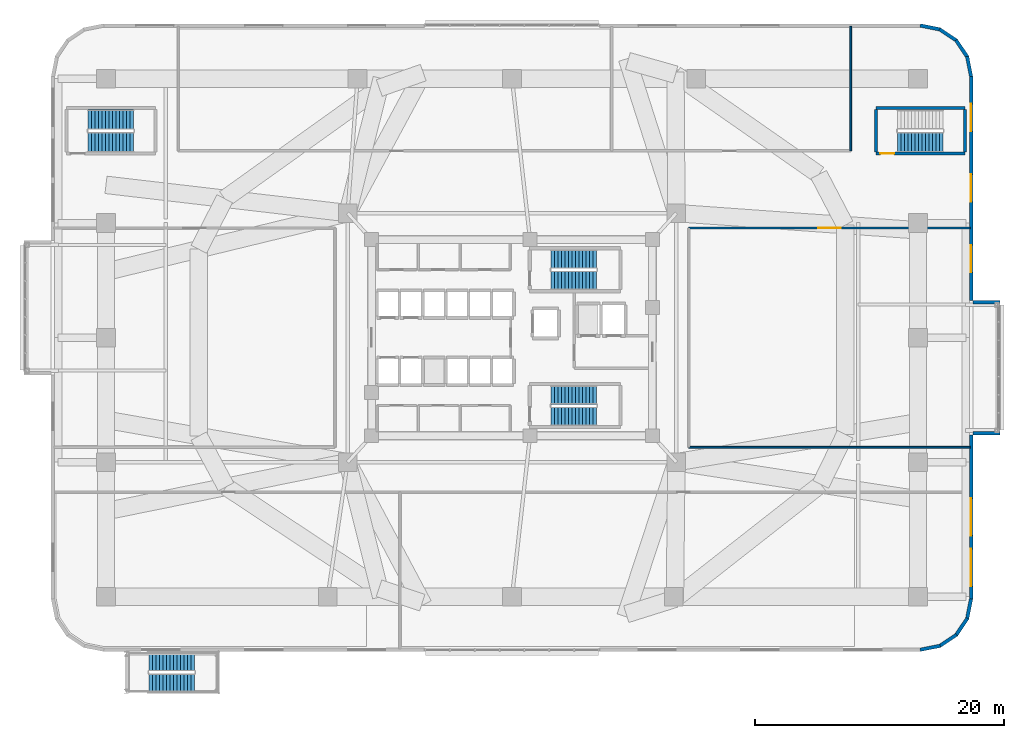
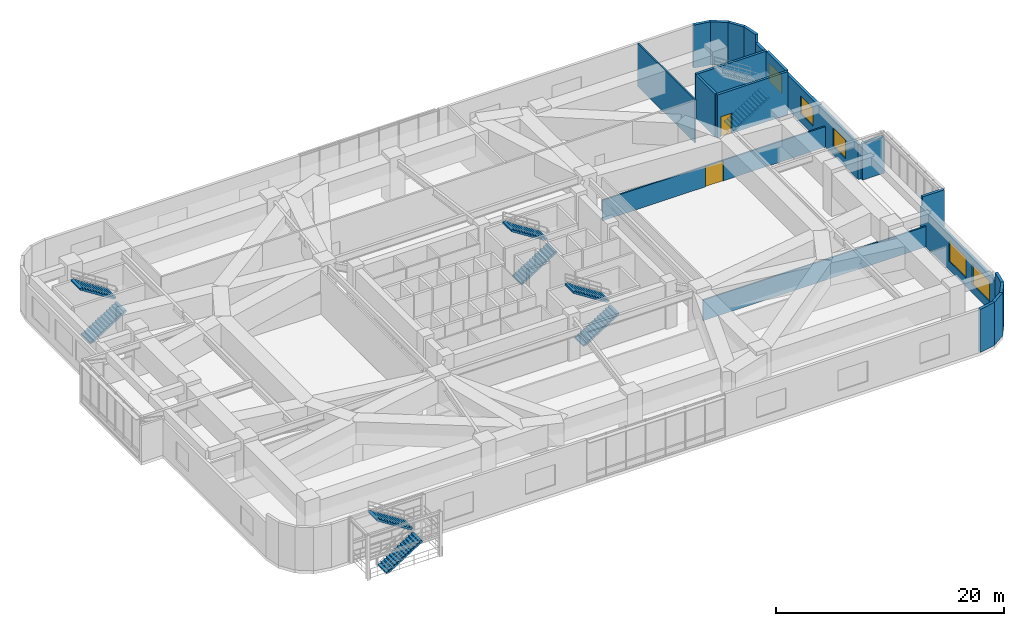
# One storey, part 20 of 26: 19 walls, 9 stair flights, 5 windows, 2 doors, 7 openings, 5 elements without a shape of their own.
"""IFC4 building model written with IfcOpenShell, lengths in metres."""

from ifc_helpers import new_model, si_unit, direction, frame, frame_2d, origin, place, context, subcontext, project, spatial, polyline, rectangle, outline, extrude, material, layer, layer_set, type_object, element, fill, aggregate, save


model = new_model("IFC4")

# Units and contexts
model_context = context("Model", 3, precision=1e-05, world=origin(), true_north=direction((0.0, 1.0)))
body_context = subcontext(model_context, "Body", "Model", "MODEL_VIEW")
ifc_project = project(units=[si_unit("LENGTHUNIT", "METRE"), si_unit("AREAUNIT", "SQUARE_METRE"), si_unit("VOLUMEUNIT", "CUBIC_METRE"), si_unit("PLANEANGLEUNIT", "RADIAN"), si_unit("MASSUNIT", "GRAM", prefix="KILO")], contexts=[model_context])

# Site, building, storey
site_placement = place(None, origin())
site = spatial("IfcSite", under=ifc_project, at=site_placement, CompositionType="ELEMENT")
building_placement = place(site_placement, origin())
building = spatial("IfcBuilding", under=site, at=building_placement, Name="Zulverin Broadcast Headquarters", CompositionType="ELEMENT")
storey_placement = place(building_placement, frame((0.0, 0.0, 20.0)))
storey = spatial("IfcBuildingStorey", under=building, at=storey_placement, Name="L04", CompositionType="ELEMENT", Elevation=20.0)

# Wall, openings, windows
ifc_material_1 = material(Name="Insulated pale-metal clad concrete spandrel C40/50", Category="concrete")
ifc_layer_1 = layer(ifc_material_1, 0.280029296875, Name="Insulated pale-metal clad concrete spandrel C40/50", Category="concrete")
ifc_layer_set_1 = layer_set([ifc_layer_1], Name="Insulated pale-metal clad concrete spandrel C40/50")
wall_type_1 = type_object("IfcWallType", Name="WL-EXT-280", PredefinedType="STANDARD", material=ifc_layer_set_1)
wall_1_placement = place(storey_placement, frame((73.860107421875, 4.199951171875, 0.0), z_axis=(0.0, 0.0, 1.0), x_axis=(0.0, 1.0, 0.0)))
wall_1 = element("IfcWall", 1, at=wall_1_placement, inside=storey, type_object=wall_type_1, Name="L04 Podium Spandrel Wall 1-1", PredefinedType="STANDARD", context=body_context, shape_type="SweptSolid", body=[
    extrude(rectangle(XDim=13.199951171875, YDim=0.280029296875, at=frame_2d((6.60009765625, 0.0))), origin(), (0.0, 0.0, 1.0), 3.699951171875),
])
opening_1_placement = place(wall_1_placement, frame((1.033203125, 0.0, 0.89990234375)))
opening_1 = element("IfcOpeningElement", 2, at=opening_1_placement, cuts=wall_1, Name="Opening W-L04-E1S11", PredefinedType="OPENING", context=body_context, shape_type="SweptSolid", body=[
    extrude(rectangle(XDim=3.0, YDim=2.199951171875, at=frame_2d((1.5, 1.10009765625))), frame((0.0, 0.14990234375, 0.0), z_axis=(0.0, -1.0, 0.0), x_axis=(1.0, 0.0, 0.0)), (0.0, 0.0, 1.0), 0.300048828125),
])
opening_2_placement = place(wall_1_placement, frame((5.10009765625, 0.0, 0.89990234375)))
opening_2 = element("IfcOpeningElement", 3, at=opening_2_placement, cuts=wall_1, Name="Opening W-L04-E1S12", PredefinedType="OPENING", context=body_context, shape_type="SweptSolid", body=[
    extrude(rectangle(XDim=3.0, YDim=2.199951171875, at=frame_2d((1.5, 1.10009765625))), frame((0.0, 0.14990234375, 0.0), z_axis=(0.0, -1.0, 0.0), x_axis=(1.0, 0.0, 0.0)), (0.0, 0.0, 1.0), 0.300048828125),
])
ifc_material_2 = material(Name="Pale anodized aluminium frame with solar-control low-E double glazing", Category="aluminium")
window_type_1 = type_object("IfcWindowType", Name="WIN-POD-3000", PartitioningType="SINGLE_PANEL", PredefinedType="WINDOW", material=ifc_material_2)
window_1_placement = place(opening_1_placement, origin())
window_1 = element("IfcWindow", 4, at=window_1_placement, inside=storey, type_object=window_type_1, Name="L04 Podium Ribbon Window 1-1 1", OverallHeight=2.199951171875, OverallWidth=3.0, PartitioningType="SINGLE_PANEL", PredefinedType="WINDOW", context=body_context, shape_type="SweptSolid", body=[
    extrude(rectangle(XDim=3.0, YDim=2.199951171875, at=frame_2d((1.5, 1.10009765625))), frame((0.0, 0.030029296875, 0.0), z_axis=(0.0, -1.0, 0.0), x_axis=(1.0, 0.0, 0.0)), (0.0, 0.0, 1.0), 0.06005859375),
])
fill(opening_1, window_1)
window_2_placement = place(opening_2_placement, origin())
window_2 = element("IfcWindow", 5, at=window_2_placement, inside=storey, type_object=window_type_1, Name="L04 Podium Ribbon Window 1-1 2", OverallHeight=2.199951171875, OverallWidth=3.0, PartitioningType="SINGLE_PANEL", PredefinedType="WINDOW", context=body_context, shape_type="SweptSolid", body=[
    extrude(rectangle(XDim=3.0, YDim=2.199951171875, at=frame_2d((1.5, 1.10009765625))), frame((0.0, 0.030029296875, 0.0), z_axis=(0.0, -1.0, 0.0), x_axis=(1.0, 0.0, 0.0)), (0.0, 0.0, 1.0), 0.06005859375),
])
fill(opening_2, window_2)

wall_2_placement = place(storey_placement, frame((73.860107421875, 28.199951171875, 0.0), z_axis=(0.0, 0.0, 1.0), x_axis=(0.0, 1.0, 0.0)))
wall_2 = element("IfcWall", 6, at=wall_2_placement, inside=storey, type_object=wall_type_1, Name="L04 Podium Spandrel Wall 1-2", PredefinedType="STANDARD", context=body_context, shape_type="SweptSolid", body=[
    extrude(rectangle(XDim=18.0, YDim=0.280029296875, at=frame_2d((9.0, 0.0))), origin(), (0.0, 0.0, 1.0), 3.699951171875),
])
opening_3_placement = place(wall_2_placement, frame((2.2333984375, 0.0, 0.89990234375)))
opening_3 = element("IfcOpeningElement", 7, at=opening_3_placement, cuts=wall_2, Name="Opening W-L04-E1S21", PredefinedType="OPENING", context=body_context, shape_type="SweptSolid", body=[
    extrude(rectangle(XDim=2.199951171875, YDim=1.949951171875, at=frame_2d((1.10009765625, 0.97509765625))), frame((0.0, 0.14990234375, 0.0), z_axis=(0.0, -1.0, 0.0), x_axis=(1.0, 0.0, 0.0)), (0.0, 0.0, 1.0), 0.300048828125),
])
opening_4_placement = place(wall_2_placement, frame((7.89990234375, 0.0, 0.89990234375)))
opening_4 = element("IfcOpeningElement", 8, at=opening_4_placement, cuts=wall_2, Name="Opening W-L04-E1S22", PredefinedType="OPENING", context=body_context, shape_type="SweptSolid", body=[
    extrude(rectangle(XDim=2.199951171875, YDim=1.949951171875, at=frame_2d((1.10009765625, 0.97509765625))), frame((0.0, 0.14990234375, 0.0), z_axis=(0.0, -1.0, 0.0), x_axis=(1.0, 0.0, 0.0)), (0.0, 0.0, 1.0), 0.300048828125),
])
opening_5_placement = place(wall_2_placement, frame((13.566650390625, 0.0, 0.89990234375)))
opening_5 = element("IfcOpeningElement", 9, at=opening_5_placement, cuts=wall_2, Name="Opening W-L04-E1S23", PredefinedType="OPENING", context=body_context, shape_type="SweptSolid", body=[
    extrude(rectangle(XDim=2.199951171875, YDim=1.949951171875, at=frame_2d((1.10009765625, 0.97509765625))), frame((0.0, 0.14990234375, 0.0), z_axis=(0.0, -1.0, 0.0), x_axis=(1.0, 0.0, 0.0)), (0.0, 0.0, 1.0), 0.300048828125),
])
window_type_2 = type_object("IfcWindowType", Name="WIN-POD-2200", PartitioningType="SINGLE_PANEL", PredefinedType="WINDOW", material=ifc_material_2)
window_3_placement = place(opening_3_placement, origin())
window_3 = element("IfcWindow", 10, at=window_3_placement, inside=storey, type_object=window_type_2, Name="L04 Podium Ribbon Window 1-2 1", OverallHeight=1.949951171875, OverallWidth=2.199951171875, PartitioningType="SINGLE_PANEL", PredefinedType="WINDOW", context=body_context, shape_type="SweptSolid", body=[
    extrude(rectangle(XDim=2.199951171875, YDim=1.949951171875, at=frame_2d((1.10009765625, 0.97509765625))), frame((0.0, 0.030029296875, 0.0), z_axis=(0.0, -1.0, 0.0), x_axis=(1.0, 0.0, 0.0)), (0.0, 0.0, 1.0), 0.06005859375),
])
fill(opening_3, window_3)
window_4_placement = place(opening_4_placement, origin())
window_4 = element("IfcWindow", 11, at=window_4_placement, inside=storey, type_object=window_type_2, Name="L04 Podium Ribbon Window 1-2 2", OverallHeight=1.949951171875, OverallWidth=2.199951171875, PartitioningType="SINGLE_PANEL", PredefinedType="WINDOW", context=body_context, shape_type="SweptSolid", body=[
    extrude(rectangle(XDim=2.199951171875, YDim=1.949951171875, at=frame_2d((1.10009765625, 0.97509765625))), frame((0.0, 0.030029296875, 0.0), z_axis=(0.0, -1.0, 0.0), x_axis=(1.0, 0.0, 0.0)), (0.0, 0.0, 1.0), 0.06005859375),
])
fill(opening_4, window_4)
window_5_placement = place(opening_5_placement, origin())
window_5 = element("IfcWindow", 12, at=window_5_placement, inside=storey, type_object=window_type_2, Name="L04 Podium Ribbon Window 1-2 3", OverallHeight=1.949951171875, OverallWidth=2.199951171875, PartitioningType="SINGLE_PANEL", PredefinedType="WINDOW", context=body_context, shape_type="SweptSolid", body=[
    extrude(rectangle(XDim=2.199951171875, YDim=1.949951171875, at=frame_2d((1.10009765625, 0.97509765625))), frame((0.0, 0.030029296875, 0.0), z_axis=(0.0, -1.0, 0.0), x_axis=(1.0, 0.0, 0.0)), (0.0, 0.0, 1.0), 0.06005859375),
])
fill(opening_5, window_5)

# Walls
for number, where, z_axis, x_axis, name in (
    (13, (73.86279296875, 46.172607421875, 0.0), (0.0, 0.0, 1.0), (-0.195142046967, 0.980774990253, 0.0), "L04 Wind-Shaped Corner Spandrel Wall 1-1"),
    (14, (73.56396484375, 47.7294921875, 0.0), (0.0, 0.0, 1.0), (-0.555662407875, 0.831408015643, 0.0), "L04 Wind-Shaped Corner Spandrel Wall 1-2"),
):
    element("IfcWall", number, at=place(storey_placement, frame(where, z_axis=z_axis, x_axis=x_axis)), inside=storey, type_object=wall_type_1, Name=name, PredefinedType="STANDARD", context=body_context, shape_type="SweptSolid", body=[
        extrude(rectangle(XDim=1.638916015625, YDim=0.280029296875, at=frame_2d((0.8193359375, 0.0))), origin(), (0.0, 0.0, 1.0), 4.60009765625),
    ])
wall_3_placement = place(storey_placement, frame((72.69189453125, 49.053466796875, 0.0), z_axis=(0.0, 0.0, 1.0), x_axis=(-0.831430845238, 0.555628247651, 0.0)))
element("IfcWall", 15, at=wall_3_placement, inside=storey, type_object=wall_type_1, Name="L04 Wind-Shaped Corner Spandrel Wall 1-3", PredefinedType="STANDARD", context=body_context, shape_type="SweptSolid", body=[
    extrude(rectangle(XDim=1.638427734375, YDim=0.280029296875, at=frame_2d((0.8193359375, 0.0))), origin(), (0.0, 0.0, 1.0), 4.60009765625),
])
for number, where, z_axis, x_axis, name in (
    (16, (71.3798828125, 49.943115234375, 0.0), (0.0, 0.0, 1.0), (-0.980797825116, 0.195027244885, 0.0), "L04 Wind-Shaped Corner Spandrel Wall 1-4"),
    (17, (69.772705078125, 0.13720703125, 0.0), (0.0, 0.0, 1.0), (0.980769316421, 0.19517056122, 0.0), "L04 Wind-Shaped Corner Spandrel Wall 4-1"),
    (18, (71.32958984375, 0.43603515625, 0.0), (0.0, 0.0, 1.0), (0.831362010656, 0.555731236514, 0.0), "L04 Wind-Shaped Corner Spandrel Wall 4-2"),
    (19, (72.6533203125, 1.30810546875, 0.0), (0.0, 0.0, 1.0), (0.555731236514, 0.831362010656, 0.0), "L04 Wind-Shaped Corner Spandrel Wall 4-3"),
    (20, (73.54296875, 2.6201171875, 0.0), (0.0, 0.0, 1.0), (0.19517056122, 0.980769316421, 0.0), "L04 Wind-Shaped Corner Spandrel Wall 4-4"),
):
    element("IfcWall", number, at=place(storey_placement, frame(where, z_axis=z_axis, x_axis=x_axis)), inside=storey, type_object=wall_type_1, Name=name, PredefinedType="STANDARD", context=body_context, shape_type="SweptSolid", body=[
        extrude(rectangle(XDim=1.638671875, YDim=0.280029296875, at=frame_2d((0.8193359375, 0.0))), origin(), (0.0, 0.0, 1.0), 4.60009765625),
    ])
wall_4_placement = place(storey_placement, frame((74.0, 17.5400390625, 0.0), z_axis=(0.0, 0.0, 1.0), x_axis=(1.0, 0.0, 0.0)))
element("IfcWall", 21, at=wall_4_placement, inside=storey, type_object=wall_type_1, Name="L04 Shifted Studio Box Cheek Wall SBOX_POD_UPPER_E1-S", PredefinedType="STANDARD", context=body_context, shape_type="SweptSolid", body=[
    extrude(rectangle(XDim=2.199951171875, YDim=0.280029296875, at=frame_2d((1.10009765625, 0.0))), origin(), (0.0, 0.0, 1.0), 4.60009765625),
])
wall_5_placement = place(storey_placement, frame((74.0, 28.06005859375, 0.0), z_axis=(0.0, 0.0, 1.0), x_axis=(1.0, 0.0, 0.0)))
element("IfcWall", 22, at=wall_5_placement, inside=storey, type_object=wall_type_1, Name="L04 Shifted Studio Box Cheek Wall SBOX_POD_UPPER_E1-N", PredefinedType="STANDARD", context=body_context, shape_type="SweptSolid", body=[
    extrude(rectangle(XDim=2.199951171875, YDim=0.280029296875, at=frame_2d((1.10009765625, 0.0))), origin(), (0.0, 0.0, 1.0), 3.906982421875),
])
ifc_material_3 = material(Name="Fire-rated gypsum stud partition", Category="gypsum")
ifc_layer_2 = layer(ifc_material_3, 0.14990234375, Name="Fire-rated gypsum stud partition", Category="gypsum")
ifc_layer_set_2 = layer_set([ifc_layer_2], Name="Fire-rated gypsum stud partition")
wall_type_2 = type_object("IfcWallType", Name="WL-PART-150", PredefinedType="PARTITIONING", material=ifc_layer_set_2)
wall_6_placement = place(storey_placement, frame((64.199951171875, 40.199951171875, 0.0), z_axis=(0.0, 0.0, 1.0), x_axis=(0.0, 1.0, 0.0)))
element("IfcWall", 23, at=wall_6_placement, inside=storey, type_object=wall_type_2, Name="L04 Gallery Partition Wall CG-01", PredefinedType="PARTITIONING", context=body_context, shape_type="SweptSolid", body=[
    extrude(rectangle(XDim=9.9951171875, YDim=0.14990234375, at=frame_2d((4.99755859375, 0.0))), origin(), (0.0, 0.0, 1.0), 4.60009765625),
])
wall_7_placement = place(storey_placement, frame((51.199951171875, 16.39990234375, 0.0), z_axis=(0.0, 0.0, 1.0), x_axis=(1.0, 0.0, 0.0)))
element("IfcWall", 24, at=wall_7_placement, inside=storey, type_object=wall_type_2, Name="L04 Gallery Partition Wall CG-09", PredefinedType="PARTITIONING", context=body_context, shape_type="SweptSolid", body=[
    extrude(rectangle(XDim=22.594970703125, YDim=0.14990234375, at=frame_2d((11.29736328125, 0.0))), origin(), (0.0, 0.0, 1.0), 2.199951171875),
])

# Wall, opening, door
wall_8_placement = place(storey_placement, frame((51.199951171875, 34.0, 0.0), z_axis=(0.0, 0.0, 1.0), x_axis=(1.0, 0.0, 0.0)))
wall_8 = element("IfcWall", 25, at=wall_8_placement, inside=storey, type_object=wall_type_2, Name="L04 Gallery Partition Wall CG-11", PredefinedType="PARTITIONING", context=body_context, shape_type="SweptSolid", body=[
    extrude(rectangle(XDim=22.594970703125, YDim=0.14990234375, at=frame_2d((11.29736328125, 0.0))), origin(), (0.0, 0.0, 1.0), 2.199951171875),
])
opening_6_placement = place(wall_8_placement, frame((10.3974609375, 0.0, 0.0)))
opening_6 = element("IfcOpeningElement", 26, at=opening_6_placement, cuts=wall_8, Name="Opening D-L04-STDE", PredefinedType="OPENING", context=body_context, shape_type="SweptSolid", body=[
    extrude(rectangle(XDim=1.800048828125, YDim=2.14990234375, at=frame_2d((0.89990234375, 1.074951171875))), frame((0.0, 0.0849609375, 0.0), z_axis=(0.0, -1.0, 0.0), x_axis=(1.0, 0.0, 0.0)), (0.0, 0.0, 1.0), 0.169921875),
])
ifc_material_4 = material(Name="Acoustic steel studio door", Category="steel")
door_type_1 = type_object("IfcDoorType", Name="DR-STD-1800", OperationType="DOUBLE_DOOR_SINGLE_SWING", PredefinedType="DOOR", material=ifc_material_4)
door_1_placement = place(opening_6_placement, origin())
door_1 = element("IfcDoor", 27, at=door_1_placement, inside=storey, type_object=door_type_1, Name="L04 East Live Television Broadcast Studio Door", OperationType="DOUBLE_DOOR_SINGLE_SWING", OverallHeight=2.14990234375, OverallWidth=1.800048828125, PredefinedType="DOOR", context=body_context, shape_type="SweptSolid", body=[
    extrude(rectangle(XDim=1.800048828125, YDim=2.14990234375, at=frame_2d((0.89990234375, 1.074951171875))), frame((0.0, 0.02490234375, 0.0), z_axis=(0.0, -1.0, 0.0), x_axis=(1.0, 0.0, 0.0)), (0.0, 0.0, 1.0), 0.050048828125),
])
fill(opening_6, door_1)

ifc_material_5 = material(Name="Concrete C50/60", Category="concrete")
ifc_layer_3 = layer(ifc_material_5, 0.25, Name="Concrete C50/60", Category="concrete")
ifc_layer_set_3 = layer_set([ifc_layer_3], Name="Concrete C50/60")
wall_type_3 = type_object("IfcWallType", Name="WL-SHAFT-250", PredefinedType="SHEAR", material=ifc_layer_set_3)
wall_9_placement = place(storey_placement, frame((66.22509765625, 39.97509765625, 0.0), z_axis=(0.0, 0.0, 1.0), x_axis=(1.0, 0.0, 0.0)))
wall_9 = element("IfcWall", 28, at=wall_9_placement, inside=storey, type_object=wall_type_3, Name="L04 ST-4 Enclosure Wall S", PredefinedType="SHEAR", context=body_context, shape_type="SweptSolid", body=[
    extrude(rectangle(XDim=7.14990234375, YDim=0.25, at=frame_2d((3.574951171875, 0.0))), origin(), (0.0, 0.0, 1.0), 4.60009765625),
])
opening_7_placement = place(wall_9_placement, frame((0.35009765625, 0.0, 0.0)))
opening_7 = element("IfcOpeningElement", 29, at=opening_7_placement, cuts=wall_9, Name="Opening D-L04-ST-4", PredefinedType="OPENING", context=body_context, shape_type="SweptSolid", body=[
    extrude(rectangle(XDim=1.10009765625, YDim=2.14990234375, at=frame_2d((0.550048828125, 1.074951171875))), frame((0.0, 0.135009765625, 0.0), z_axis=(0.0, -1.0, 0.0), x_axis=(1.0, 0.0, 0.0)), (0.0, 0.0, 1.0), 0.27001953125),
])
ifc_material_6 = material(Name="Fire-rated steel leaf and frame", Category="steel")
door_type_2 = type_object("IfcDoorType", Name="DR-STAIR-1100", OperationType="SINGLE_SWING_LEFT", PredefinedType="DOOR", material=ifc_material_6)
door_2_placement = place(opening_7_placement, origin())
door_2 = element("IfcDoor", 30, at=door_2_placement, inside=storey, type_object=door_type_2, Name="L04 Exit Stair ST-4 Fire Door", OperationType="SINGLE_SWING_RIGHT", OverallHeight=2.14990234375, OverallWidth=1.10009765625, PredefinedType="DOOR", context=body_context, shape_type="SweptSolid", body=[
    extrude(rectangle(XDim=1.10009765625, YDim=2.14990234375, at=frame_2d((0.550048828125, 1.074951171875))), frame((0.0, 0.02490234375, 0.0), z_axis=(0.0, -1.0, 0.0), x_axis=(1.0, 0.0, 0.0)), (0.0, 0.0, 1.0), 0.050048828125),
])
fill(opening_7, door_2)

# Walls
wall_10_placement = place(storey_placement, frame((66.22509765625, 43.625, 0.0), z_axis=(0.0, 0.0, 1.0), x_axis=(1.0, 0.0, 0.0)))
element("IfcWall", 31, at=wall_10_placement, inside=storey, type_object=wall_type_3, Name="L04 ST-4 Enclosure Wall N", PredefinedType="SHEAR", context=body_context, shape_type="SweptSolid", body=[
    extrude(rectangle(XDim=7.14990234375, YDim=0.25, at=frame_2d((3.574951171875, 0.0))), origin(), (0.0, 0.0, 1.0), 4.60009765625),
])
for number, where, z_axis, x_axis, name in (
    (32, (66.22509765625, 40.10009765625, 0.0), (0.0, 0.0, 1.0), (0.0, 1.0, 0.0), "L04 ST-4 Enclosure Wall W"),
    (33, (73.375, 40.10009765625, 0.0), (0.0, 0.0, 1.0), (0.0, 1.0, 0.0), "L04 ST-4 Enclosure Wall E"),
):
    element("IfcWall", number, at=place(storey_placement, frame(where, z_axis=z_axis, x_axis=x_axis)), inside=storey, type_object=wall_type_3, Name=name, PredefinedType="SHEAR", context=body_context, shape_type="SweptSolid", body=[
        extrude(rectangle(XDim=3.39990234375, YDim=0.25, at=frame_2d((1.699951171875, 0.0))), origin(), (0.0, 0.0, 1.0), 4.60009765625),
    ])

# Stair, stair flights
ifc_material_7 = material(Name="Concrete C40/50", Category="concrete")
stair_type_1 = type_object("IfcStairType", Name="ST-CORE-1500", PredefinedType="HALF_TURN_STAIR", material=ifc_material_7)
stair_1_placement = place(storey_placement, origin())
stair_1 = element("IfcStair", 34, at=stair_1_placement, inside=storey, type_object=stair_type_1, Name="L04 Core Exit Stair ST-1", PredefinedType="HALF_TURN_STAIR")
stair_flight_type_1 = type_object("IfcStairFlightType", Name="SF-CORE-1500", PredefinedType="STRAIGHT", material=ifc_material_7)
stair_flight_1_placement = place(storey_placement, frame((40.1298828125, 29.800048828125, 0.0), z_axis=(0.0, 0.0, 1.0), x_axis=(1.0, 0.0, 0.0)))
stair_flight_1 = element("IfcStairFlight", 35, at=stair_flight_1_placement, type_object=stair_flight_type_1, Name="ST-1 flight 1", NumberOfRisers=14, NumberOfTreads=13, PredefinedType="STRAIGHT", RiserHeight=0.178571429, TreadLength=0.28, context=body_context, shape_type="SweptSolid", body=[
    extrude(outline(polyline([(0.0, 0.0), (0.0, 0.178466796875), (0.280029296875, 0.178466796875), (0.280029296875, 0.357177734375), (0.56005859375, 0.357177734375), (0.56005859375, 0.53564453125), (0.840087890625, 0.53564453125), (0.840087890625, 0.71435546875), (1.1201171875, 0.71435546875), (1.1201171875, 0.892822265625), (1.39990234375, 0.892822265625), (1.39990234375, 1.071533203125), (1.679931640625, 1.071533203125), (1.679931640625, 1.25), (1.9599609375, 1.25), (1.9599609375, 1.428466796875), (2.239990234375, 1.428466796875), (2.239990234375, 1.607177734375), (2.52001953125, 1.607177734375), (2.52001953125, 1.78564453125), (2.800048828125, 1.78564453125), (2.800048828125, 1.96435546875), (3.080078125, 1.96435546875), (3.080078125, 2.142822265625), (3.360107421875, 2.142822265625), (3.360107421875, 2.321533203125), (3.639892578125, 2.321533203125), (3.639892578125, 2.5), (3.639892578125, 2.1435546875), (0.27880859375, 0.0), (0.0, 0.0)])), frame((0.0, 0.75, 0.0), z_axis=(0.0, -1.0, 0.0), x_axis=(1.0, 0.0, 0.0)), (0.0, 0.0, 1.0), 1.5),
])
stair_flight_2_placement = place(storey_placement, frame((43.77001953125, 31.5, 2.5), z_axis=(0.0, 0.0, 1.0), x_axis=(-1.0, 0.0, 0.0)))
stair_flight_2 = element("IfcStairFlight", 36, at=stair_flight_2_placement, type_object=stair_flight_type_1, Name="ST-1 flight 2", NumberOfRisers=14, NumberOfTreads=13, PredefinedType="STRAIGHT", RiserHeight=0.178571429, TreadLength=0.28, context=body_context, shape_type="SweptSolid", body=[
    extrude(outline(polyline([(0.0, 0.0), (0.0, 0.178466796875), (0.280029296875, 0.178466796875), (0.280029296875, 0.357177734375), (0.56005859375, 0.357177734375), (0.56005859375, 0.53564453125), (0.840087890625, 0.53564453125), (0.840087890625, 0.71435546875), (1.1201171875, 0.71435546875), (1.1201171875, 0.892822265625), (1.39990234375, 0.892822265625), (1.39990234375, 1.071533203125), (1.679931640625, 1.071533203125), (1.679931640625, 1.25), (1.9599609375, 1.25), (1.9599609375, 1.428466796875), (2.239990234375, 1.428466796875), (2.239990234375, 1.607177734375), (2.52001953125, 1.607177734375), (2.52001953125, 1.78564453125), (2.800048828125, 1.78564453125), (2.800048828125, 1.96435546875), (3.080078125, 1.96435546875), (3.080078125, 2.142822265625), (3.360107421875, 2.142822265625), (3.360107421875, 2.321533203125), (3.639892578125, 2.321533203125), (3.639892578125, 2.5), (3.639892578125, 2.1435546875), (0.27880859375, 0.0), (0.0, 0.0)])), frame((0.0, 0.75, 0.0), z_axis=(0.0, -1.0, 0.0), x_axis=(1.0, 0.0, 0.0)), (0.0, 0.0, 1.0), 1.5),
])
aggregate(stair_1, [stair_flight_1, stair_flight_2])

stair_2_placement = place(storey_placement, origin())
stair_2 = element("IfcStair", 37, at=stair_2_placement, inside=storey, type_object=stair_type_1, Name="L04 Core Exit Stair ST-2", PredefinedType="HALF_TURN_STAIR")
stair_flight_3_placement = place(storey_placement, frame((40.1298828125, 18.89990234375, 0.0), z_axis=(0.0, 0.0, 1.0), x_axis=(1.0, 0.0, 0.0)))
stair_flight_3 = element("IfcStairFlight", 38, at=stair_flight_3_placement, type_object=stair_flight_type_1, Name="ST-2 flight 1", NumberOfRisers=14, NumberOfTreads=13, PredefinedType="STRAIGHT", RiserHeight=0.178571429, TreadLength=0.28, context=body_context, shape_type="SweptSolid", body=[
    extrude(outline(polyline([(0.0, 0.0), (0.0, 0.178466796875), (0.280029296875, 0.178466796875), (0.280029296875, 0.357177734375), (0.56005859375, 0.357177734375), (0.56005859375, 0.53564453125), (0.840087890625, 0.53564453125), (0.840087890625, 0.71435546875), (1.1201171875, 0.71435546875), (1.1201171875, 0.892822265625), (1.39990234375, 0.892822265625), (1.39990234375, 1.071533203125), (1.679931640625, 1.071533203125), (1.679931640625, 1.25), (1.9599609375, 1.25), (1.9599609375, 1.428466796875), (2.239990234375, 1.428466796875), (2.239990234375, 1.607177734375), (2.52001953125, 1.607177734375), (2.52001953125, 1.78564453125), (2.800048828125, 1.78564453125), (2.800048828125, 1.96435546875), (3.080078125, 1.96435546875), (3.080078125, 2.142822265625), (3.360107421875, 2.142822265625), (3.360107421875, 2.321533203125), (3.639892578125, 2.321533203125), (3.639892578125, 2.5), (3.639892578125, 2.1435546875), (0.27880859375, 0.0), (0.0, 0.0)])), frame((0.0, 0.75, 0.0), z_axis=(0.0, -1.0, 0.0), x_axis=(1.0, 0.0, 0.0)), (0.0, 0.0, 1.0), 1.5),
])
stair_flight_4_placement = place(storey_placement, frame((43.77001953125, 20.60009765625, 2.5), z_axis=(0.0, 0.0, 1.0), x_axis=(-1.0, 0.0, 0.0)))
stair_flight_4 = element("IfcStairFlight", 39, at=stair_flight_4_placement, type_object=stair_flight_type_1, Name="ST-2 flight 2", NumberOfRisers=14, NumberOfTreads=13, PredefinedType="STRAIGHT", RiserHeight=0.178571429, TreadLength=0.28, context=body_context, shape_type="SweptSolid", body=[
    extrude(outline(polyline([(0.0, 0.0), (0.0, 0.178466796875), (0.280029296875, 0.178466796875), (0.280029296875, 0.357177734375), (0.56005859375, 0.357177734375), (0.56005859375, 0.53564453125), (0.840087890625, 0.53564453125), (0.840087890625, 0.71435546875), (1.1201171875, 0.71435546875), (1.1201171875, 0.892822265625), (1.39990234375, 0.892822265625), (1.39990234375, 1.071533203125), (1.679931640625, 1.071533203125), (1.679931640625, 1.25), (1.9599609375, 1.25), (1.9599609375, 1.428466796875), (2.239990234375, 1.428466796875), (2.239990234375, 1.607177734375), (2.52001953125, 1.607177734375), (2.52001953125, 1.78564453125), (2.800048828125, 1.78564453125), (2.800048828125, 1.96435546875), (3.080078125, 1.96435546875), (3.080078125, 2.142822265625), (3.360107421875, 2.142822265625), (3.360107421875, 2.321533203125), (3.639892578125, 2.321533203125), (3.639892578125, 2.5), (3.639892578125, 2.1435546875), (0.27880859375, 0.0), (0.0, 0.0)])), frame((0.0, 0.75, 0.0), z_axis=(0.0, -1.0, 0.0), x_axis=(1.0, 0.0, 0.0)), (0.0, 0.0, 1.0), 1.5),
])
aggregate(stair_2, [stair_flight_3, stair_flight_4])

stair_type_2 = type_object("IfcStairType", Name="ST-GDN-1500", PredefinedType="HALF_TURN_STAIR", material=ifc_material_7)
stair_3_placement = place(storey_placement, origin())
stair_3 = element("IfcStair", 40, at=stair_3_placement, inside=storey, type_object=stair_type_2, Name="L04 Exterior Public Garden Stair ST-5", PredefinedType="HALF_TURN_STAIR")
stair_flight_type_2 = type_object("IfcStairFlightType", Name="SF-GDN-1500", PredefinedType="STRAIGHT", material=ifc_material_7)
stair_flight_5_placement = place(storey_placement, frame((7.85009765625, -2.530029296875, 0.0), z_axis=(0.0, 0.0, 1.0), x_axis=(1.0, 0.0, 0.0)))
stair_flight_5 = element("IfcStairFlight", 41, at=stair_flight_5_placement, type_object=stair_flight_type_2, Name="ST-5 flight 1", NumberOfRisers=14, NumberOfTreads=13, PredefinedType="STRAIGHT", RiserHeight=0.178571429, TreadLength=0.28, context=body_context, shape_type="SweptSolid", body=[
    extrude(outline(polyline([(0.0, 0.0), (0.0, 0.178466796875), (0.280029296875, 0.178466796875), (0.280029296875, 0.357177734375), (0.56005859375, 0.357177734375), (0.56005859375, 0.53564453125), (0.840087890625, 0.53564453125), (0.840087890625, 0.71435546875), (1.1201171875, 0.71435546875), (1.1201171875, 0.892822265625), (1.39990234375, 0.892822265625), (1.39990234375, 1.071533203125), (1.679931640625, 1.071533203125), (1.679931640625, 1.25), (1.9599609375, 1.25), (1.9599609375, 1.428466796875), (2.239990234375, 1.428466796875), (2.239990234375, 1.607177734375), (2.52001953125, 1.607177734375), (2.52001953125, 1.78564453125), (2.800048828125, 1.78564453125), (2.800048828125, 1.96435546875), (3.080078125, 1.96435546875), (3.080078125, 2.142822265625), (3.360107421875, 2.142822265625), (3.360107421875, 2.321533203125), (3.639892578125, 2.321533203125), (3.639892578125, 2.5), (3.639892578125, 2.1435546875), (0.27880859375, 0.0), (0.0, 0.0)])), frame((0.0, 0.75, 0.0), z_axis=(0.0, -1.0, 0.0), x_axis=(1.0, 0.0, 0.0)), (0.0, 0.0, 1.0), 1.5),
])
stair_flight_6_placement = place(storey_placement, frame((11.489990234375, -0.830078125, 2.5), z_axis=(0.0, 0.0, 1.0), x_axis=(-1.0, 0.0, 0.0)))
stair_flight_6 = element("IfcStairFlight", 42, at=stair_flight_6_placement, type_object=stair_flight_type_2, Name="ST-5 flight 2", NumberOfRisers=14, NumberOfTreads=13, PredefinedType="STRAIGHT", RiserHeight=0.178571429, TreadLength=0.28, context=body_context, shape_type="SweptSolid", body=[
    extrude(outline(polyline([(0.0, 0.0), (0.0, 0.178466796875), (0.280029296875, 0.178466796875), (0.280029296875, 0.357177734375), (0.56005859375, 0.357177734375), (0.56005859375, 0.53564453125), (0.840087890625, 0.53564453125), (0.840087890625, 0.71435546875), (1.1201171875, 0.71435546875), (1.1201171875, 0.892822265625), (1.39990234375, 0.892822265625), (1.39990234375, 1.071533203125), (1.679931640625, 1.071533203125), (1.679931640625, 1.25), (1.9599609375, 1.25), (1.9599609375, 1.428466796875), (2.239990234375, 1.428466796875), (2.239990234375, 1.607177734375), (2.52001953125, 1.607177734375), (2.52001953125, 1.78564453125), (2.800048828125, 1.78564453125), (2.800048828125, 1.96435546875), (3.080078125, 1.96435546875), (3.080078125, 2.142822265625), (3.360107421875, 2.142822265625), (3.360107421875, 2.321533203125), (3.639892578125, 2.321533203125), (3.639892578125, 2.5), (3.639892578125, 2.1435546875), (0.27880859375, 0.0), (0.0, 0.0)])), frame((0.0, 0.75, 0.0), z_axis=(0.0, -1.0, 0.0), x_axis=(1.0, 0.0, 0.0)), (0.0, 0.0, 1.0), 1.5),
])
aggregate(stair_3, [stair_flight_5, stair_flight_6])

stair_type_3 = type_object("IfcStairType", Name="ST-POD-1600", PredefinedType="HALF_TURN_STAIR", material=ifc_material_7)
stair_4_placement = place(storey_placement, origin())
stair_4 = element("IfcStair", 43, at=stair_4_placement, inside=storey, type_object=stair_type_3, Name="L04 Podium Exit Stair ST-3", PredefinedType="HALF_TURN_STAIR")
stair_flight_type_3 = type_object("IfcStairFlightType", Name="SF-POD-1600", PredefinedType="STRAIGHT", material=ifc_material_7)
stair_flight_7_placement = place(storey_placement, frame((2.969970703125, 40.89990234375, 0.0), z_axis=(0.0, 0.0, 1.0), x_axis=(1.0, 0.0, 0.0)))
stair_flight_7 = element("IfcStairFlight", 44, at=stair_flight_7_placement, type_object=stair_flight_type_3, Name="ST-3 flight 1", NumberOfRisers=14, NumberOfTreads=13, PredefinedType="STRAIGHT", RiserHeight=0.178571429, TreadLength=0.28, context=body_context, shape_type="SweptSolid", body=[
    extrude(outline(polyline([(0.0, 0.0), (0.0, 0.178466796875), (0.280029296875, 0.178466796875), (0.280029296875, 0.357177734375), (0.56005859375, 0.357177734375), (0.56005859375, 0.53564453125), (0.840087890625, 0.53564453125), (0.840087890625, 0.71435546875), (1.1201171875, 0.71435546875), (1.1201171875, 0.892822265625), (1.39990234375, 0.892822265625), (1.39990234375, 1.071533203125), (1.679931640625, 1.071533203125), (1.679931640625, 1.25), (1.9599609375, 1.25), (1.9599609375, 1.428466796875), (2.239990234375, 1.428466796875), (2.239990234375, 1.607177734375), (2.52001953125, 1.607177734375), (2.52001953125, 1.78564453125), (2.800048828125, 1.78564453125), (2.800048828125, 1.96435546875), (3.080078125, 1.96435546875), (3.080078125, 2.142822265625), (3.360107421875, 2.142822265625), (3.360107421875, 2.321533203125), (3.639892578125, 2.321533203125), (3.639892578125, 2.5), (3.639892578125, 2.1435546875), (0.27880859375, 0.0), (0.0, 0.0)])), frame((0.0, 0.800048828125, 0.0), z_axis=(0.0, -1.0, 0.0), x_axis=(1.0, 0.0, 0.0)), (0.0, 0.0, 1.0), 1.60009765625),
])
stair_flight_8_placement = place(storey_placement, frame((6.610107421875, 42.699951171875, 2.5), z_axis=(0.0, 0.0, 1.0), x_axis=(-1.0, 0.0, 0.0)))
stair_flight_8 = element("IfcStairFlight", 45, at=stair_flight_8_placement, type_object=stair_flight_type_3, Name="ST-3 flight 2", NumberOfRisers=14, NumberOfTreads=13, PredefinedType="STRAIGHT", RiserHeight=0.178571429, TreadLength=0.28, context=body_context, shape_type="SweptSolid", body=[
    extrude(outline(polyline([(0.0, 0.0), (0.0, 0.178466796875), (0.280029296875, 0.178466796875), (0.280029296875, 0.357177734375), (0.56005859375, 0.357177734375), (0.56005859375, 0.53564453125), (0.840087890625, 0.53564453125), (0.840087890625, 0.71435546875), (1.1201171875, 0.71435546875), (1.1201171875, 0.892822265625), (1.39990234375, 0.892822265625), (1.39990234375, 1.071533203125), (1.679931640625, 1.071533203125), (1.679931640625, 1.25), (1.9599609375, 1.25), (1.9599609375, 1.428466796875), (2.239990234375, 1.428466796875), (2.239990234375, 1.607177734375), (2.52001953125, 1.607177734375), (2.52001953125, 1.78564453125), (2.800048828125, 1.78564453125), (2.800048828125, 1.96435546875), (3.080078125, 1.96435546875), (3.080078125, 2.142822265625), (3.360107421875, 2.142822265625), (3.360107421875, 2.321533203125), (3.639892578125, 2.321533203125), (3.639892578125, 2.5), (3.639892578125, 2.1435546875), (0.27880859375, 0.0), (0.0, 0.0)])), frame((0.0, 0.800048828125, 0.0), z_axis=(0.0, -1.0, 0.0), x_axis=(1.0, 0.0, 0.0)), (0.0, 0.0, 1.0), 1.60009765625),
])
aggregate(stair_4, [stair_flight_7, stair_flight_8])

# Stair, stair flight
stair_5_placement = place(storey_placement, origin())
stair_5 = element("IfcStair", 46, at=stair_5_placement, inside=storey, type_object=stair_type_3, Name="L04 Podium Exit Stair ST-4", PredefinedType="HALF_TURN_STAIR")
stair_flight_9_placement = place(storey_placement, frame((67.969970703125, 40.89990234375, 0.0), z_axis=(0.0, 0.0, 1.0), x_axis=(1.0, 0.0, 0.0)))
stair_flight_9 = element("IfcStairFlight", 47, at=stair_flight_9_placement, type_object=stair_flight_type_3, Name="ST-4 flight 1", NumberOfRisers=14, NumberOfTreads=13, PredefinedType="STRAIGHT", RiserHeight=0.178571429, TreadLength=0.28, context=body_context, shape_type="SweptSolid", body=[
    extrude(outline(polyline([(0.0, 0.0), (0.0, 0.178466796875), (0.280029296875, 0.178466796875), (0.280029296875, 0.357177734375), (0.56005859375, 0.357177734375), (0.56005859375, 0.53564453125), (0.840087890625, 0.53564453125), (0.840087890625, 0.71435546875), (1.1201171875, 0.71435546875), (1.1201171875, 0.892822265625), (1.39990234375, 0.892822265625), (1.39990234375, 1.071533203125), (1.679931640625, 1.071533203125), (1.679931640625, 1.25), (1.9599609375, 1.25), (1.9599609375, 1.428466796875), (2.239990234375, 1.428466796875), (2.239990234375, 1.607177734375), (2.52001953125, 1.607177734375), (2.52001953125, 1.78564453125), (2.800048828125, 1.78564453125), (2.800048828125, 1.96435546875), (3.080078125, 1.96435546875), (3.080078125, 2.142822265625), (3.360107421875, 2.142822265625), (3.360107421875, 2.321533203125), (3.639892578125, 2.321533203125), (3.639892578125, 2.5), (3.639892578125, 2.1435546875), (0.27880859375, 0.0), (0.0, 0.0)])), frame((0.0, 0.800048828125, 0.0), z_axis=(0.0, -1.0, 0.0), x_axis=(1.0, 0.0, 0.0)), (0.0, 0.0, 1.0), 1.60009765625),
])
aggregate(stair_5, [stair_flight_9])

save(model, "model.ifc")
